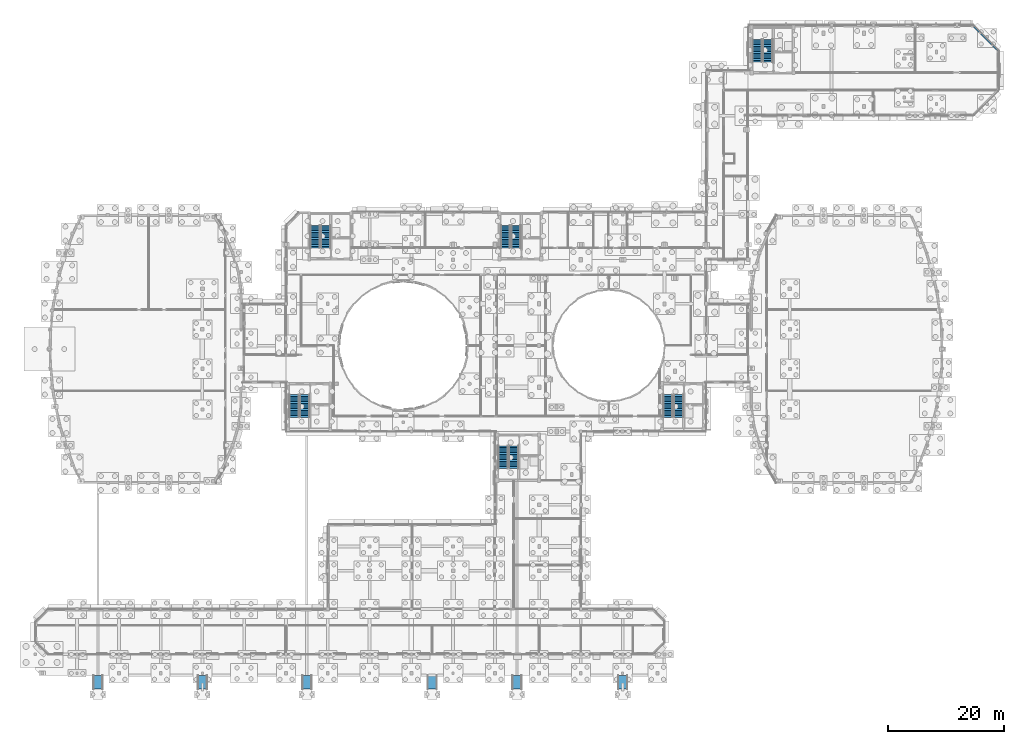
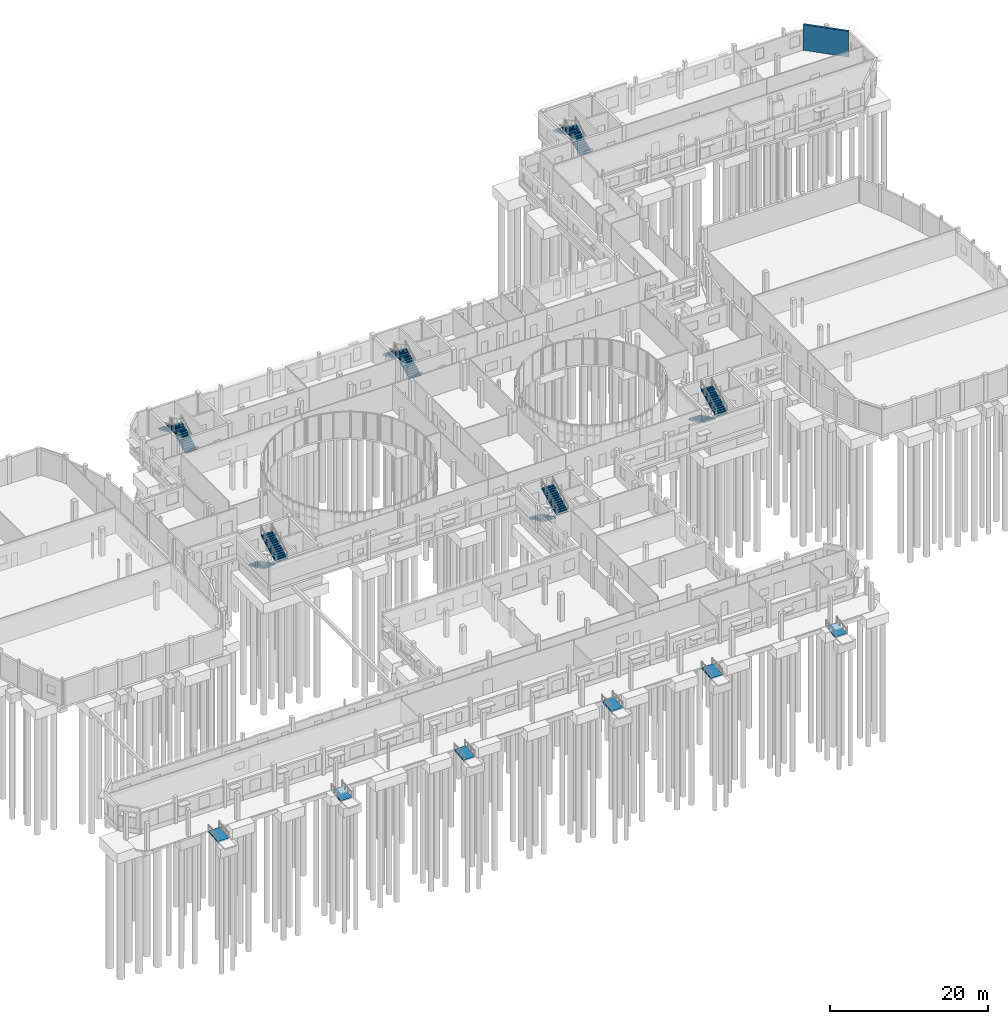
# One storey, part 77 of 93: 12 stair flights, 6 ramp flights, 1 wall, 12 elements without a shape of their own.
"""IFC4 building model written with IfcOpenShell, lengths in metres."""

from ifc_helpers import new_model, si_unit, direction, frame, frame_2d, origin, place, context, subcontext, project, spatial, polyline, rectangle, outline, extrude, material, layer, layer_set, type_object, element, aggregate, save


model = new_model("IFC4")

# Units and contexts
model_context = context("Model", 3, precision=1e-05, world=origin(), true_north=direction((0.0, 1.0)))
body_context = subcontext(model_context, "Body", "Model", "MODEL_VIEW")
ifc_project = project(units=[si_unit("LENGTHUNIT", "METRE"), si_unit("AREAUNIT", "SQUARE_METRE"), si_unit("VOLUMEUNIT", "CUBIC_METRE"), si_unit("PLANEANGLEUNIT", "RADIAN"), si_unit("MASSUNIT", "GRAM", prefix="KILO")], contexts=[model_context])

# Site, building, storey
site_placement = place(None, origin())
site = spatial("IfcSite", under=ifc_project, at=site_placement, CompositionType="ELEMENT")
building_placement = place(site_placement, origin())
building = spatial("IfcBuilding", under=site, at=building_placement, Name="Kelanivale Promenade Academy", CompositionType="ELEMENT")
storey_placement = place(building_placement, origin())
storey = spatial("IfcBuildingStorey", under=building, at=storey_placement, Name="L00", CompositionType="ELEMENT", Elevation=0.0)

# Wall
ifc_material_1 = material(Name="Insulated ivory stucco masonry wall 280 mm", Category="masonry")
ifc_layer_1 = layer(ifc_material_1, 0.280029296875)
ifc_layer_set_1 = layer_set([ifc_layer_1], Name="Insulated ivory stucco masonry wall 280 mm")
wall_type = type_object("IfcWallType", Name="EW-02 Wall 280mm", PredefinedType="SOLIDWALL", material=ifc_layer_set_1)
wall_placement = place(storey_placement, frame((165.81591796875, 107.617919921875, 0.0), z_axis=(0.0, 0.0, 1.0), x_axis=(-0.707106781187, 0.707106781187, 0.0)))
element("IfcWall", 1, at=wall_placement, inside=storey, type_object=wall_type, Name="L00 exterior facade wall EW-L00-ORT-0301", PredefinedType="SOLIDWALL", context=body_context, shape_type="SweptSolid", body=[
    extrude(rectangle(XDim=5.936767578125, YDim=0.280029296875, at=frame_2d((2.96826171875, 0.0))), origin(), (0.0, 0.0, 1.0), 3.97998046875),
])

# Stair, stair flight
ifc_material_2 = material(Name="Concrete C35/45", Category="concrete")
stair_type = type_object("IfcStairType", Name="ST-T01 Protected dog-leg ground-storey stai", PredefinedType="HALF_TURN_STAIR", material=ifc_material_2)
stair_1_placement = place(storey_placement, origin())
stair_1 = element("IfcStair", 2, at=stair_1_placement, inside=storey, type_object=stair_type, Name="L00 ST-01", PredefinedType="HALF_TURN_STAIR")
stair_flight_type_1 = type_object("IfcStairFlightType", Name="SF-T01 Core stair RC flight 14 risers x 150", PredefinedType="STRAIGHT", material=ifc_material_2)
stair_flight_1_placement = place(storey_placement, frame((80.610107421875, 39.544921875, 0.0), z_axis=(0.0, 0.0, 1.0), x_axis=(0.0, -1.0, 0.0)))
stair_flight_1 = element("IfcStairFlight", 3, at=stair_flight_1_placement, type_object=stair_flight_type_1, Name="ST-01 flight 1", NumberOfRisers=14, NumberOfTreads=13, PredefinedType="STRAIGHT", RiserHeight=0.15, TreadLength=0.3, context=body_context, shape_type="SweptSolid", body=[
    extrude(outline(polyline([(0.0, 0.0), (0.0, 0.14990234375), (0.300048828125, 0.14990234375), (0.300048828125, 0.300048828125), (0.60009765625, 0.300048828125), (0.60009765625, 0.449951171875), (0.89990234375, 0.449951171875), (0.89990234375, 0.60009765625), (1.199951171875, 0.60009765625), (1.199951171875, 0.75), (1.5, 0.75), (1.5, 0.89990234375), (1.800048828125, 0.89990234375), (1.800048828125, 1.050048828125), (2.10009765625, 1.050048828125), (2.10009765625, 1.199951171875), (2.39990234375, 1.199951171875), (2.39990234375, 1.35009765625), (2.699951171875, 1.35009765625), (2.699951171875, 1.5), (3.0, 1.5), (3.0, 1.64990234375), (3.300048828125, 1.64990234375), (3.300048828125, 1.800048828125), (3.60009765625, 1.800048828125), (3.60009765625, 1.949951171875), (3.89990234375, 1.949951171875), (3.89990234375, 2.10009765625), (3.89990234375, 1.748779296875), (0.40234375, 0.0), (0.0, 0.0)])), frame((0.0, 0.844970703125, 0.0), z_axis=(0.0, -1.0, 0.0), x_axis=(1.0, 0.0, 0.0)), (0.0, 0.0, 1.0), 1.68994140625),
])

stair_2_placement = place(storey_placement, origin())
stair_2 = element("IfcStair", 4, at=stair_2_placement, inside=storey, type_object=stair_type, Name="L00 ST-02", PredefinedType="HALF_TURN_STAIR")
stair_flight_2_placement = place(storey_placement, frame((82.820068359375, 73.60498046875, 0.0), z_axis=(0.0, 0.0, 1.0), x_axis=(0.0, 1.0, 0.0)))
stair_flight_2 = element("IfcStairFlight", 5, at=stair_flight_2_placement, type_object=stair_flight_type_1, Name="ST-02 flight 1", NumberOfRisers=14, NumberOfTreads=13, PredefinedType="STRAIGHT", RiserHeight=0.15, TreadLength=0.3, context=body_context, shape_type="SweptSolid", body=[
    extrude(outline(polyline([(0.0, 0.0), (0.0, 0.14990234375), (0.300048828125, 0.14990234375), (0.300048828125, 0.300048828125), (0.60009765625, 0.300048828125), (0.60009765625, 0.449951171875), (0.89990234375, 0.449951171875), (0.89990234375, 0.60009765625), (1.199951171875, 0.60009765625), (1.199951171875, 0.75), (1.5, 0.75), (1.5, 0.89990234375), (1.800048828125, 0.89990234375), (1.800048828125, 1.050048828125), (2.10009765625, 1.050048828125), (2.10009765625, 1.199951171875), (2.39990234375, 1.199951171875), (2.39990234375, 1.35009765625), (2.699951171875, 1.35009765625), (2.699951171875, 1.5), (3.0, 1.5), (3.0, 1.64990234375), (3.300048828125, 1.64990234375), (3.300048828125, 1.800048828125), (3.60009765625, 1.800048828125), (3.60009765625, 1.949951171875), (3.89990234375, 1.949951171875), (3.89990234375, 2.10009765625), (3.89990234375, 1.748779296875), (0.40234375, 0.0), (0.0, 0.0)])), frame((0.0, 0.844970703125, 0.0), z_axis=(0.0, -1.0, 0.0), x_axis=(1.0, 0.0, 0.0)), (0.0, 0.0, 1.0), 1.68994140625),
])

stair_3_placement = place(storey_placement, origin())
stair_3 = element("IfcStair", 6, at=stair_3_placement, inside=storey, type_object=stair_type, Name="L00 ST-03", PredefinedType="HALF_TURN_STAIR")
stair_flight_3_placement = place(storey_placement, frame((109.010009765625, 48.344970703125, 0.0), z_axis=(0.0, 0.0, 1.0), x_axis=(0.0, -1.0, 0.0)))
stair_flight_3 = element("IfcStairFlight", 7, at=stair_flight_3_placement, type_object=stair_flight_type_1, Name="ST-03 flight 1", NumberOfRisers=14, NumberOfTreads=13, PredefinedType="STRAIGHT", RiserHeight=0.15, TreadLength=0.3, context=body_context, shape_type="SweptSolid", body=[
    extrude(outline(polyline([(0.0, 0.0), (0.0, 0.14990234375), (0.300048828125, 0.14990234375), (0.300048828125, 0.300048828125), (0.60009765625, 0.300048828125), (0.60009765625, 0.449951171875), (0.89990234375, 0.449951171875), (0.89990234375, 0.60009765625), (1.199951171875, 0.60009765625), (1.199951171875, 0.75), (1.5, 0.75), (1.5, 0.89990234375), (1.800048828125, 0.89990234375), (1.800048828125, 1.050048828125), (2.10009765625, 1.050048828125), (2.10009765625, 1.199951171875), (2.39990234375, 1.199951171875), (2.39990234375, 1.35009765625), (2.699951171875, 1.35009765625), (2.699951171875, 1.5), (3.0, 1.5), (3.0, 1.64990234375), (3.300048828125, 1.64990234375), (3.300048828125, 1.800048828125), (3.60009765625, 1.800048828125), (3.60009765625, 1.949951171875), (3.89990234375, 1.949951171875), (3.89990234375, 2.10009765625), (3.89990234375, 1.748779296875), (0.40234375, 0.0), (0.0, 0.0)])), frame((0.0, 0.844970703125, 0.0), z_axis=(0.0, -1.0, 0.0), x_axis=(1.0, 0.0, 0.0)), (0.0, 0.0, 1.0), 1.68994140625),
])

stair_4_placement = place(storey_placement, origin())
stair_4 = element("IfcStair", 8, at=stair_4_placement, inside=storey, type_object=stair_type, Name="L00 ST-04", PredefinedType="HALF_TURN_STAIR")
stair_flight_4_placement = place(storey_placement, frame((50.02001953125, 73.60498046875, 0.0), z_axis=(0.0, 0.0, 1.0), x_axis=(0.0, 1.0, 0.0)))
stair_flight_4 = element("IfcStairFlight", 9, at=stair_flight_4_placement, type_object=stair_flight_type_1, Name="ST-04 flight 1", NumberOfRisers=14, NumberOfTreads=13, PredefinedType="STRAIGHT", RiserHeight=0.15, TreadLength=0.3, context=body_context, shape_type="SweptSolid", body=[
    extrude(outline(polyline([(0.0, 0.0), (0.0, 0.14990234375), (0.300048828125, 0.14990234375), (0.300048828125, 0.300048828125), (0.60009765625, 0.300048828125), (0.60009765625, 0.449951171875), (0.89990234375, 0.449951171875), (0.89990234375, 0.60009765625), (1.199951171875, 0.60009765625), (1.199951171875, 0.75), (1.5, 0.75), (1.5, 0.89990234375), (1.800048828125, 0.89990234375), (1.800048828125, 1.050048828125), (2.10009765625, 1.050048828125), (2.10009765625, 1.199951171875), (2.39990234375, 1.199951171875), (2.39990234375, 1.35009765625), (2.699951171875, 1.35009765625), (2.699951171875, 1.5), (3.0, 1.5), (3.0, 1.64990234375), (3.300048828125, 1.64990234375), (3.300048828125, 1.800048828125), (3.60009765625, 1.800048828125), (3.60009765625, 1.949951171875), (3.89990234375, 1.949951171875), (3.89990234375, 2.10009765625), (3.89990234375, 1.748779296875), (0.40234375, 0.0), (0.0, 0.0)])), frame((0.0, 0.844970703125, 0.0), z_axis=(0.0, -1.0, 0.0), x_axis=(1.0, 0.0, 0.0)), (0.0, 0.0, 1.0), 1.68994140625),
])

stair_5_placement = place(storey_placement, origin())
stair_5 = element("IfcStair", 10, at=stair_5_placement, inside=storey, type_object=stair_type, Name="L00 ST-05", PredefinedType="HALF_TURN_STAIR")
stair_flight_5_placement = place(storey_placement, frame((126.219970703125, 105.655029296875, 0.0), z_axis=(0.0, 0.0, 1.0), x_axis=(0.0, 1.0, 0.0)))
stair_flight_5 = element("IfcStairFlight", 11, at=stair_flight_5_placement, type_object=stair_flight_type_1, Name="ST-05 flight 1", NumberOfRisers=14, NumberOfTreads=13, PredefinedType="STRAIGHT", RiserHeight=0.15, TreadLength=0.3, context=body_context, shape_type="SweptSolid", body=[
    extrude(outline(polyline([(0.0, 0.0), (0.0, 0.14990234375), (0.300048828125, 0.14990234375), (0.300048828125, 0.300048828125), (0.60009765625, 0.300048828125), (0.60009765625, 0.449951171875), (0.89990234375, 0.449951171875), (0.89990234375, 0.60009765625), (1.199951171875, 0.60009765625), (1.199951171875, 0.75), (1.5, 0.75), (1.5, 0.89990234375), (1.800048828125, 0.89990234375), (1.800048828125, 1.050048828125), (2.10009765625, 1.050048828125), (2.10009765625, 1.199951171875), (2.39990234375, 1.199951171875), (2.39990234375, 1.35009765625), (2.699951171875, 1.35009765625), (2.699951171875, 1.5), (3.0, 1.5), (3.0, 1.64990234375), (3.300048828125, 1.64990234375), (3.300048828125, 1.800048828125), (3.60009765625, 1.800048828125), (3.60009765625, 1.949951171875), (3.89990234375, 1.949951171875), (3.89990234375, 2.10009765625), (3.89990234375, 1.748779296875), (0.40234375, 0.0), (0.0, 0.0)])), frame((0.0, 0.844970703125, 0.0), z_axis=(0.0, -1.0, 0.0), x_axis=(1.0, 0.0, 0.0)), (0.0, 0.0, 1.0), 1.68994140625),
])

stair_6_placement = place(storey_placement, origin())
stair_6 = element("IfcStair", 12, at=stair_6_placement, inside=storey, type_object=stair_type, Name="L00 ST-06", PredefinedType="HALF_TURN_STAIR")
stair_flight_6_placement = place(storey_placement, frame((44.610107421875, 48.344970703125, 0.0), z_axis=(0.0, 0.0, 1.0), x_axis=(0.0, -1.0, 0.0)))
stair_flight_6 = element("IfcStairFlight", 13, at=stair_flight_6_placement, type_object=stair_flight_type_1, Name="ST-06 flight 1", NumberOfRisers=14, NumberOfTreads=13, PredefinedType="STRAIGHT", RiserHeight=0.15, TreadLength=0.3, context=body_context, shape_type="SweptSolid", body=[
    extrude(outline(polyline([(0.0, 0.0), (0.0, 0.14990234375), (0.300048828125, 0.14990234375), (0.300048828125, 0.300048828125), (0.60009765625, 0.300048828125), (0.60009765625, 0.449951171875), (0.89990234375, 0.449951171875), (0.89990234375, 0.60009765625), (1.199951171875, 0.60009765625), (1.199951171875, 0.75), (1.5, 0.75), (1.5, 0.89990234375), (1.800048828125, 0.89990234375), (1.800048828125, 1.050048828125), (2.10009765625, 1.050048828125), (2.10009765625, 1.199951171875), (2.39990234375, 1.199951171875), (2.39990234375, 1.35009765625), (2.699951171875, 1.35009765625), (2.699951171875, 1.5), (3.0, 1.5), (3.0, 1.64990234375), (3.300048828125, 1.64990234375), (3.300048828125, 1.800048828125), (3.60009765625, 1.800048828125), (3.60009765625, 1.949951171875), (3.89990234375, 1.949951171875), (3.89990234375, 2.10009765625), (3.89990234375, 1.748779296875), (0.40234375, 0.0), (0.0, 0.0)])), frame((0.0, 0.844970703125, 0.0), z_axis=(0.0, -1.0, 0.0), x_axis=(1.0, 0.0, 0.0)), (0.0, 0.0, 1.0), 1.68994140625),
])

# Stair flight
stair_flight_type_2 = type_object("IfcStairFlightType", Name="SF-T02 Core stair RC return flight 14 riser", PredefinedType="STRAIGHT", material=ifc_material_2)
stair_flight_7_placement = place(storey_placement, frame((82.419921875, 35.64501953125, 2.10009765625), z_axis=(0.0, 0.0, 1.0), x_axis=(0.0, 1.0, 0.0)))
stair_flight_7 = element("IfcStairFlight", 14, at=stair_flight_7_placement, type_object=stair_flight_type_2, Name="ST-01 flight 2", NumberOfRisers=14, NumberOfTreads=13, PredefinedType="STRAIGHT", RiserHeight=0.15, TreadLength=0.3, context=body_context, shape_type="SweptSolid", body=[
    extrude(outline(polyline([(0.0, 0.0), (0.0, 0.14990234375), (0.300048828125, 0.14990234375), (0.300048828125, 0.300048828125), (0.60009765625, 0.300048828125), (0.60009765625, 0.449951171875), (0.89990234375, 0.449951171875), (0.89990234375, 0.60009765625), (1.199951171875, 0.60009765625), (1.199951171875, 0.75), (1.5, 0.75), (1.5, 0.89990234375), (1.800048828125, 0.89990234375), (1.800048828125, 1.050048828125), (2.10009765625, 1.050048828125), (2.10009765625, 1.199951171875), (2.39990234375, 1.199951171875), (2.39990234375, 1.35009765625), (2.699951171875, 1.35009765625), (2.699951171875, 1.5), (3.0, 1.5), (3.0, 1.64990234375), (3.300048828125, 1.64990234375), (3.300048828125, 1.800048828125), (3.60009765625, 1.800048828125), (3.60009765625, 1.949951171875), (3.89990234375, 1.949951171875), (3.89990234375, 2.10009765625), (3.89990234375, 1.748779296875), (0.40234375, 0.0), (0.0, 0.0)])), frame((0.0, 0.844970703125, 0.0), z_axis=(0.0, -1.0, 0.0), x_axis=(1.0, 0.0, 0.0)), (0.0, 0.0, 1.0), 1.68994140625),
])

aggregate(stair_1, [stair_flight_1, stair_flight_7])

stair_flight_8_placement = place(storey_placement, frame((81.010009765625, 77.5048828125, 2.10009765625), z_axis=(0.0, 0.0, 1.0), x_axis=(0.0, -1.0, 0.0)))
stair_flight_8 = element("IfcStairFlight", 15, at=stair_flight_8_placement, type_object=stair_flight_type_2, Name="ST-02 flight 2", NumberOfRisers=14, NumberOfTreads=13, PredefinedType="STRAIGHT", RiserHeight=0.15, TreadLength=0.3, context=body_context, shape_type="SweptSolid", body=[
    extrude(outline(polyline([(0.0, 0.0), (0.0, 0.14990234375), (0.300048828125, 0.14990234375), (0.300048828125, 0.300048828125), (0.60009765625, 0.300048828125), (0.60009765625, 0.449951171875), (0.89990234375, 0.449951171875), (0.89990234375, 0.60009765625), (1.199951171875, 0.60009765625), (1.199951171875, 0.75), (1.5, 0.75), (1.5, 0.89990234375), (1.800048828125, 0.89990234375), (1.800048828125, 1.050048828125), (2.10009765625, 1.050048828125), (2.10009765625, 1.199951171875), (2.39990234375, 1.199951171875), (2.39990234375, 1.35009765625), (2.699951171875, 1.35009765625), (2.699951171875, 1.5), (3.0, 1.5), (3.0, 1.64990234375), (3.300048828125, 1.64990234375), (3.300048828125, 1.800048828125), (3.60009765625, 1.800048828125), (3.60009765625, 1.949951171875), (3.89990234375, 1.949951171875), (3.89990234375, 2.10009765625), (3.89990234375, 1.748779296875), (0.40234375, 0.0), (0.0, 0.0)])), frame((0.0, 0.844970703125, 0.0), z_axis=(0.0, -1.0, 0.0), x_axis=(1.0, 0.0, 0.0)), (0.0, 0.0, 1.0), 1.68994140625),
])

aggregate(stair_2, [stair_flight_2, stair_flight_8])

stair_flight_9_placement = place(storey_placement, frame((110.820068359375, 44.445068359375, 2.10009765625), z_axis=(0.0, 0.0, 1.0), x_axis=(0.0, 1.0, 0.0)))
stair_flight_9 = element("IfcStairFlight", 16, at=stair_flight_9_placement, type_object=stair_flight_type_2, Name="ST-03 flight 2", NumberOfRisers=14, NumberOfTreads=13, PredefinedType="STRAIGHT", RiserHeight=0.15, TreadLength=0.3, context=body_context, shape_type="SweptSolid", body=[
    extrude(outline(polyline([(0.0, 0.0), (0.0, 0.14990234375), (0.300048828125, 0.14990234375), (0.300048828125, 0.300048828125), (0.60009765625, 0.300048828125), (0.60009765625, 0.449951171875), (0.89990234375, 0.449951171875), (0.89990234375, 0.60009765625), (1.199951171875, 0.60009765625), (1.199951171875, 0.75), (1.5, 0.75), (1.5, 0.89990234375), (1.800048828125, 0.89990234375), (1.800048828125, 1.050048828125), (2.10009765625, 1.050048828125), (2.10009765625, 1.199951171875), (2.39990234375, 1.199951171875), (2.39990234375, 1.35009765625), (2.699951171875, 1.35009765625), (2.699951171875, 1.5), (3.0, 1.5), (3.0, 1.64990234375), (3.300048828125, 1.64990234375), (3.300048828125, 1.800048828125), (3.60009765625, 1.800048828125), (3.60009765625, 1.949951171875), (3.89990234375, 1.949951171875), (3.89990234375, 2.10009765625), (3.89990234375, 1.748779296875), (0.40234375, 0.0), (0.0, 0.0)])), frame((0.0, 0.844970703125, 0.0), z_axis=(0.0, -1.0, 0.0), x_axis=(1.0, 0.0, 0.0)), (0.0, 0.0, 1.0), 1.68994140625),
])

aggregate(stair_3, [stair_flight_3, stair_flight_9])

stair_flight_10_placement = place(storey_placement, frame((48.2099609375, 77.5048828125, 2.10009765625), z_axis=(0.0, 0.0, 1.0), x_axis=(0.0, -1.0, 0.0)))
stair_flight_10 = element("IfcStairFlight", 17, at=stair_flight_10_placement, type_object=stair_flight_type_2, Name="ST-04 flight 2", NumberOfRisers=14, NumberOfTreads=13, PredefinedType="STRAIGHT", RiserHeight=0.15, TreadLength=0.3, context=body_context, shape_type="SweptSolid", body=[
    extrude(outline(polyline([(0.0, 0.0), (0.0, 0.14990234375), (0.300048828125, 0.14990234375), (0.300048828125, 0.300048828125), (0.60009765625, 0.300048828125), (0.60009765625, 0.449951171875), (0.89990234375, 0.449951171875), (0.89990234375, 0.60009765625), (1.199951171875, 0.60009765625), (1.199951171875, 0.75), (1.5, 0.75), (1.5, 0.89990234375), (1.800048828125, 0.89990234375), (1.800048828125, 1.050048828125), (2.10009765625, 1.050048828125), (2.10009765625, 1.199951171875), (2.39990234375, 1.199951171875), (2.39990234375, 1.35009765625), (2.699951171875, 1.35009765625), (2.699951171875, 1.5), (3.0, 1.5), (3.0, 1.64990234375), (3.300048828125, 1.64990234375), (3.300048828125, 1.800048828125), (3.60009765625, 1.800048828125), (3.60009765625, 1.949951171875), (3.89990234375, 1.949951171875), (3.89990234375, 2.10009765625), (3.89990234375, 1.748779296875), (0.40234375, 0.0), (0.0, 0.0)])), frame((0.0, 0.844970703125, 0.0), z_axis=(0.0, -1.0, 0.0), x_axis=(1.0, 0.0, 0.0)), (0.0, 0.0, 1.0), 1.68994140625),
])

aggregate(stair_4, [stair_flight_4, stair_flight_10])

stair_flight_11_placement = place(storey_placement, frame((124.409912109375, 109.554931640625, 2.10009765625), z_axis=(0.0, 0.0, 1.0), x_axis=(0.0, -1.0, 0.0)))
stair_flight_11 = element("IfcStairFlight", 18, at=stair_flight_11_placement, type_object=stair_flight_type_2, Name="ST-05 flight 2", NumberOfRisers=14, NumberOfTreads=13, PredefinedType="STRAIGHT", RiserHeight=0.15, TreadLength=0.3, context=body_context, shape_type="SweptSolid", body=[
    extrude(outline(polyline([(0.0, 0.0), (0.0, 0.14990234375), (0.300048828125, 0.14990234375), (0.300048828125, 0.300048828125), (0.60009765625, 0.300048828125), (0.60009765625, 0.449951171875), (0.89990234375, 0.449951171875), (0.89990234375, 0.60009765625), (1.199951171875, 0.60009765625), (1.199951171875, 0.75), (1.5, 0.75), (1.5, 0.89990234375), (1.800048828125, 0.89990234375), (1.800048828125, 1.050048828125), (2.10009765625, 1.050048828125), (2.10009765625, 1.199951171875), (2.39990234375, 1.199951171875), (2.39990234375, 1.35009765625), (2.699951171875, 1.35009765625), (2.699951171875, 1.5), (3.0, 1.5), (3.0, 1.64990234375), (3.300048828125, 1.64990234375), (3.300048828125, 1.800048828125), (3.60009765625, 1.800048828125), (3.60009765625, 1.949951171875), (3.89990234375, 1.949951171875), (3.89990234375, 2.10009765625), (3.89990234375, 1.748779296875), (0.40234375, 0.0), (0.0, 0.0)])), frame((0.0, 0.844970703125, 0.0), z_axis=(0.0, -1.0, 0.0), x_axis=(1.0, 0.0, 0.0)), (0.0, 0.0, 1.0), 1.68994140625),
])

aggregate(stair_5, [stair_flight_5, stair_flight_11])

stair_flight_12_placement = place(storey_placement, frame((46.419921875, 44.445068359375, 2.10009765625), z_axis=(0.0, 0.0, 1.0), x_axis=(0.0, 1.0, 0.0)))
stair_flight_12 = element("IfcStairFlight", 19, at=stair_flight_12_placement, type_object=stair_flight_type_2, Name="ST-06 flight 2", NumberOfRisers=14, NumberOfTreads=13, PredefinedType="STRAIGHT", RiserHeight=0.15, TreadLength=0.3, context=body_context, shape_type="SweptSolid", body=[
    extrude(outline(polyline([(0.0, 0.0), (0.0, 0.14990234375), (0.300048828125, 0.14990234375), (0.300048828125, 0.300048828125), (0.60009765625, 0.300048828125), (0.60009765625, 0.449951171875), (0.89990234375, 0.449951171875), (0.89990234375, 0.60009765625), (1.199951171875, 0.60009765625), (1.199951171875, 0.75), (1.5, 0.75), (1.5, 0.89990234375), (1.800048828125, 0.89990234375), (1.800048828125, 1.050048828125), (2.10009765625, 1.050048828125), (2.10009765625, 1.199951171875), (2.39990234375, 1.199951171875), (2.39990234375, 1.35009765625), (2.699951171875, 1.35009765625), (2.699951171875, 1.5), (3.0, 1.5), (3.0, 1.64990234375), (3.300048828125, 1.64990234375), (3.300048828125, 1.800048828125), (3.60009765625, 1.800048828125), (3.60009765625, 1.949951171875), (3.89990234375, 1.949951171875), (3.89990234375, 2.10009765625), (3.89990234375, 1.748779296875), (0.40234375, 0.0), (0.0, 0.0)])), frame((0.0, 0.844970703125, 0.0), z_axis=(0.0, -1.0, 0.0), x_axis=(1.0, 0.0, 0.0)), (0.0, 0.0, 1.0), 1.68994140625),
])

aggregate(stair_6, [stair_flight_6, stair_flight_12])

# Ramp, ramp flight
ramp_type = type_object("IfcRampType", Name="RMP-01 Accessible Plinth Ramp", PredefinedType="STRAIGHT_RUN_RAMP", material=ifc_material_2)
ramp_1_placement = place(storey_placement, origin())
ramp_1 = element("IfcRamp", 20, at=ramp_1_placement, inside=storey, type_object=ramp_type, Name="Accessible 1:12 promenade ramp R-01", PredefinedType="STRAIGHT_RUN_RAMP")
ifc_layer_2 = layer(ifc_material_2, 0.199951171875)
ifc_layer_set_2 = layer_set([ifc_layer_2], Name="Concrete C35/45")
ramp_flight_type = type_object("IfcRampFlightType", Name="RMF-01 Accessible Ramp Flight", PredefinedType="STRAIGHT", material=ifc_layer_set_2)
ramp_flight_1_placement = place(storey_placement, frame((10.800048828125, -2.39990234375, -0.199951171875), z_axis=(0.0, 0.0, 1.0), x_axis=(0.0, 1.0, 0.0)))
ramp_flight_1 = element("IfcRampFlight", 21, at=ramp_flight_1_placement, type_object=ramp_flight_type, Name="Ramp R-01 1:12 flight", PredefinedType="STRAIGHT", context=body_context, shape_type="SweptSolid", body=[
    extrude(outline(polyline([(0.0, 0.0), (2.39990234375, 0.199951171875), (2.39990234375, 0.0), (0.0, -0.199951171875), (0.0, 0.0)])), frame((0.0, 0.824951171875, 0.0), z_axis=(0.0, -1.0, 0.0), x_axis=(1.0, 0.0, 0.0)), (0.0, 0.0, 1.0), 1.64990234375),
])
aggregate(ramp_1, [ramp_flight_1])

ramp_2_placement = place(storey_placement, origin())
ramp_2 = element("IfcRamp", 22, at=ramp_2_placement, inside=storey, type_object=ramp_type, Name="Accessible 1:12 promenade ramp R-02", PredefinedType="STRAIGHT_RUN_RAMP")
ramp_flight_2_placement = place(storey_placement, frame((28.800048828125, -2.39990234375, -0.199951171875), z_axis=(0.0, 0.0, 1.0), x_axis=(0.0, 1.0, 0.0)))
ramp_flight_2 = element("IfcRampFlight", 23, at=ramp_flight_2_placement, type_object=ramp_flight_type, Name="Ramp R-02 1:12 flight", PredefinedType="STRAIGHT", context=body_context, shape_type="SweptSolid", body=[
    extrude(outline(polyline([(0.0, 0.0), (2.39990234375, 0.199951171875), (2.39990234375, 0.0), (0.0, -0.199951171875), (0.0, 0.0)])), frame((0.0, 0.824951171875, 0.0), z_axis=(0.0, -1.0, 0.0), x_axis=(1.0, 0.0, 0.0)), (0.0, 0.0, 1.0), 1.64990234375),
])
aggregate(ramp_2, [ramp_flight_2])

ramp_3_placement = place(storey_placement, origin())
ramp_3 = element("IfcRamp", 24, at=ramp_3_placement, inside=storey, type_object=ramp_type, Name="Accessible 1:12 promenade ramp R-03", PredefinedType="STRAIGHT_RUN_RAMP")
ramp_flight_3_placement = place(storey_placement, frame((46.800048828125, -2.39990234375, -0.199951171875), z_axis=(0.0, 0.0, 1.0), x_axis=(0.0, 1.0, 0.0)))
ramp_flight_3 = element("IfcRampFlight", 25, at=ramp_flight_3_placement, type_object=ramp_flight_type, Name="Ramp R-03 1:12 flight", PredefinedType="STRAIGHT", context=body_context, shape_type="SweptSolid", body=[
    extrude(outline(polyline([(0.0, 0.0), (2.39990234375, 0.199951171875), (2.39990234375, 0.0), (0.0, -0.199951171875), (0.0, 0.0)])), frame((0.0, 0.824951171875, 0.0), z_axis=(0.0, -1.0, 0.0), x_axis=(1.0, 0.0, 0.0)), (0.0, 0.0, 1.0), 1.64990234375),
])
aggregate(ramp_3, [ramp_flight_3])

ramp_4_placement = place(storey_placement, origin())
ramp_4 = element("IfcRamp", 26, at=ramp_4_placement, inside=storey, type_object=ramp_type, Name="Accessible 1:12 promenade ramp R-04", PredefinedType="STRAIGHT_RUN_RAMP")
ramp_flight_4_placement = place(storey_placement, frame((68.39990234375, -2.39990234375, -0.199951171875), z_axis=(0.0, 0.0, 1.0), x_axis=(0.0, 1.0, 0.0)))
ramp_flight_4 = element("IfcRampFlight", 27, at=ramp_flight_4_placement, type_object=ramp_flight_type, Name="Ramp R-04 1:12 flight", PredefinedType="STRAIGHT", context=body_context, shape_type="SweptSolid", body=[
    extrude(outline(polyline([(0.0, 0.0), (2.39990234375, 0.199951171875), (2.39990234375, 0.0), (0.0, -0.199951171875), (0.0, 0.0)])), frame((0.0, 0.824951171875, 0.0), z_axis=(0.0, -1.0, 0.0), x_axis=(1.0, 0.0, 0.0)), (0.0, 0.0, 1.0), 1.64990234375),
])
aggregate(ramp_4, [ramp_flight_4])

ramp_5_placement = place(storey_placement, origin())
ramp_5 = element("IfcRamp", 28, at=ramp_5_placement, inside=storey, type_object=ramp_type, Name="Accessible 1:12 promenade ramp R-05", PredefinedType="STRAIGHT_RUN_RAMP")
ramp_flight_5_placement = place(storey_placement, frame((83.0, -2.39990234375, -0.199951171875), z_axis=(0.0, 0.0, 1.0), x_axis=(0.0, 1.0, 0.0)))
ramp_flight_5 = element("IfcRampFlight", 29, at=ramp_flight_5_placement, type_object=ramp_flight_type, Name="Ramp R-05 1:12 flight", PredefinedType="STRAIGHT", context=body_context, shape_type="SweptSolid", body=[
    extrude(outline(polyline([(0.0, 0.0), (2.39990234375, 0.199951171875), (2.39990234375, 0.0), (0.0, -0.199951171875), (0.0, 0.0)])), frame((0.0, 0.824951171875, 0.0), z_axis=(0.0, -1.0, 0.0), x_axis=(1.0, 0.0, 0.0)), (0.0, 0.0, 1.0), 1.64990234375),
])
aggregate(ramp_5, [ramp_flight_5])

ramp_6_placement = place(storey_placement, origin())
ramp_6 = element("IfcRamp", 30, at=ramp_6_placement, inside=storey, type_object=ramp_type, Name="Accessible 1:12 promenade ramp R-06", PredefinedType="STRAIGHT_RUN_RAMP")
ramp_flight_6_placement = place(storey_placement, frame((101.199951171875, -2.39990234375, -0.199951171875), z_axis=(0.0, 0.0, 1.0), x_axis=(0.0, 1.0, 0.0)))
ramp_flight_6 = element("IfcRampFlight", 31, at=ramp_flight_6_placement, type_object=ramp_flight_type, Name="Ramp R-06 1:12 flight", PredefinedType="STRAIGHT", context=body_context, shape_type="SweptSolid", body=[
    extrude(outline(polyline([(0.0, 0.0), (2.39990234375, 0.199951171875), (2.39990234375, 0.0), (0.0, -0.199951171875), (0.0, 0.0)])), frame((0.0, 0.824951171875, 0.0), z_axis=(0.0, -1.0, 0.0), x_axis=(1.0, 0.0, 0.0)), (0.0, 0.0, 1.0), 1.64990234375),
])
aggregate(ramp_6, [ramp_flight_6])

save(model, "model.ifc")
